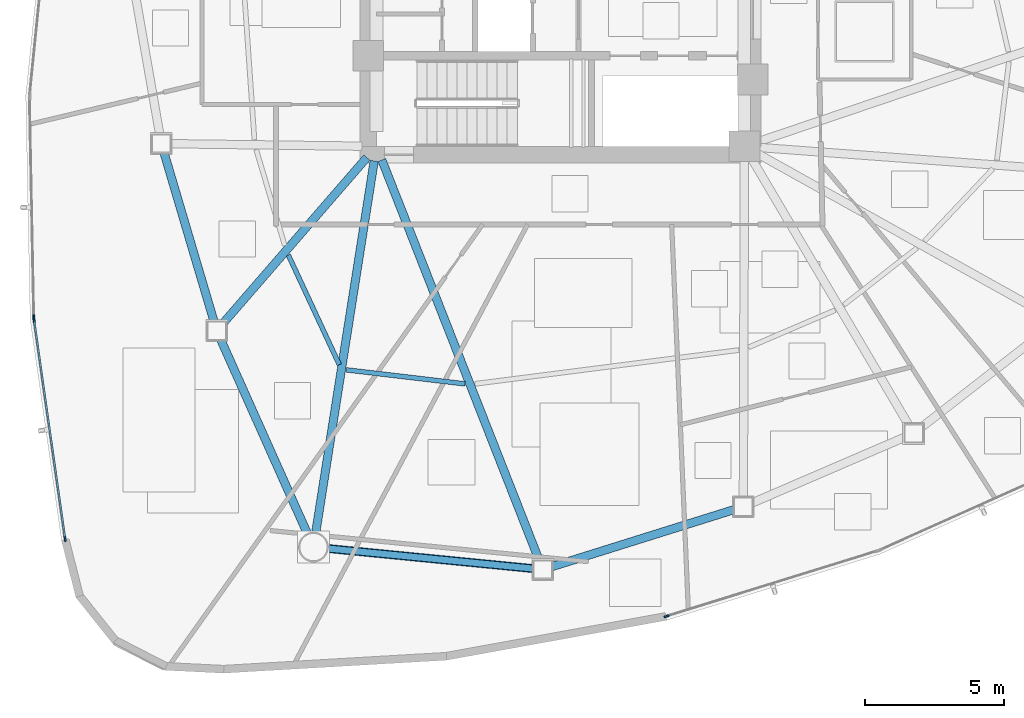
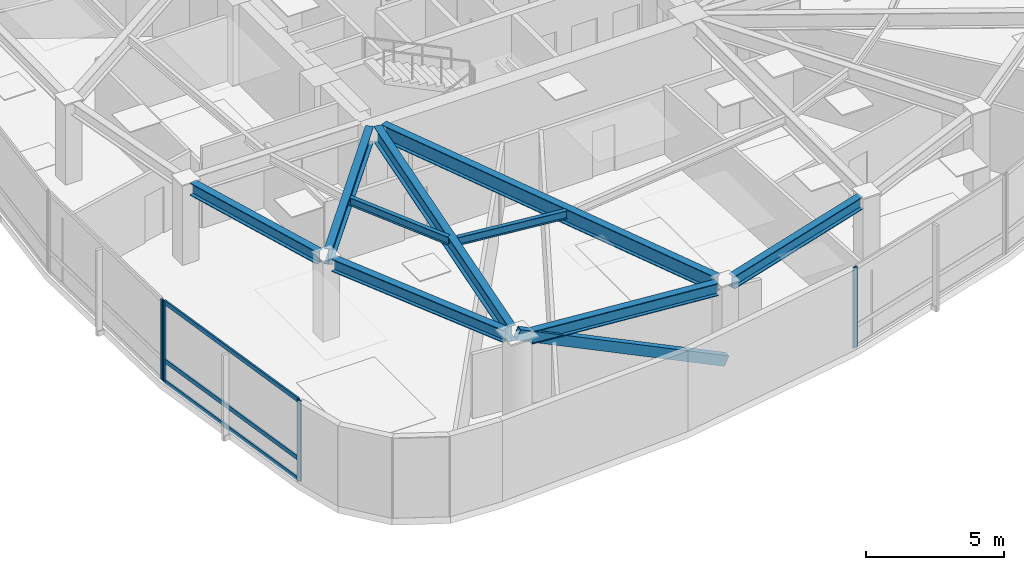
# One storey, part 2 of 17: 9 beams, 8 members, 3 elements without a shape of their own.
"""IFC4 building model written with IfcOpenShell, lengths in metres."""

import ifcopenshell
import ifcopenshell.guid

model = None  # the IFC model being written
_history = None  # IfcOwnerHistory: only IFC2X3 demands one
_inside = {}  # id of a spatial element -> (the spatial element, [elements in it])
_under = {}  # id of a project, library or spatial element -> (it, [spatial elements below it])
_declared = {}  # id of a project -> (the project, [libraries it declares])
_typed = {}  # id of a type object -> (the type object, [elements of that type])
_made_of = {}  # id of a material, layer set ... -> (it, [elements and type objects made of it])


def new_model(schema):
    """Start an empty IFC model of exactly this schema.

    Asked for "IFC4X3", IfcOpenShell would pick the latest addendum, in which some entities
    have other attributes; the version numbers below select the first issue.
    IFC2X3 requires an IfcOwnerHistory on every rooted entity: one is made here for all.
    """
    global model, _history
    if schema == "IFC4X3":
        model = ifcopenshell.file(schema_version=(4, 3, 0, 0))
    else:
        model = ifcopenshell.file(schema=schema)
    _inside.clear()
    _under.clear()
    _declared.clear()
    _typed.clear()
    _made_of.clear()
    _history = None
    if model.schema == "IFC2X3":
        org = make("IfcOrganization", Name="unknown")
        user = make(
            "IfcPersonAndOrganization",
            ThePerson=make("IfcPerson", FamilyName="unknown"),
            TheOrganization=org,
        )
        app = make(
            "IfcApplication",
            ApplicationDeveloper=org,
            Version="unknown",
            ApplicationFullName="unknown",
            ApplicationIdentifier="unknown",
        )
        _history = make(
            "IfcOwnerHistory",
            OwningUser=user,
            OwningApplication=app,
            ChangeAction="ADDED",
            CreationDate=0,
        )
    return model


def make(cls, **values):
    """One entity of the class cls with the attributes given. An attribute that is None is left unset."""
    return model.create_entity(
        cls, **{name: value for name, value in values.items() if value is not None}
    )


def rooted(cls, **values):
    """An entity with a GlobalId (a new one), such as an element, a storey or a relation."""
    return make(cls, GlobalId=ifcopenshell.guid.new(), OwnerHistory=_history, **values)


def si_unit(unit_type, name, prefix=None):
    """IfcSIUnit, for example si_unit("LENGTHUNIT", "METRE", prefix="MILLI")."""
    return make("IfcSIUnit", UnitType=unit_type, Prefix=prefix, Name=name)


def assignment(units):
    """IfcUnitAssignment: the units of a project."""
    return None if units is None else make("IfcUnitAssignment", Units=units)


def point(xyz):
    """IfcCartesianPoint."""
    return None if xyz is None else make("IfcCartesianPoint", Coordinates=xyz)


def direction(xyz):
    """IfcDirection."""
    return None if xyz is None else make("IfcDirection", DirectionRatios=xyz)


def frame(location, z_axis=None, x_axis=None):
    """IfcAxis2Placement3D, a coordinate frame: its origin and axes. An axis left out is left unset."""
    return make(
        "IfcAxis2Placement3D",
        Location=point(location),
        Axis=direction(z_axis),
        RefDirection=direction(x_axis),
    )


def frame_2d(location, x_axis=None):
    """IfcAxis2Placement2D, a coordinate frame in the plane: its origin and x axis."""
    return make(
        "IfcAxis2Placement2D", Location=point(location), RefDirection=direction(x_axis)
    )


def origin():
    """The frame at (0, 0, 0) with its axes left unset."""
    return frame((0.0, 0.0, 0.0))


def origin_2d():
    """The frame at (0, 0) in the plane with its x axis left unset."""
    return frame_2d((0.0, 0.0))


def place(relative_to, where):
    """IfcLocalPlacement: puts the frame where relative to a parent placement (None: the world)."""
    return make(
        "IfcLocalPlacement", PlacementRelTo=relative_to, RelativePlacement=where
    )


def context(
    kind, dimensions, precision=None, world=None, true_north=None, identifier=None
):
    """IfcGeometricRepresentationContext, for example the 3D "Model" context."""
    return make(
        "IfcGeometricRepresentationContext",
        ContextIdentifier=identifier,
        ContextType=kind,
        CoordinateSpaceDimension=dimensions,
        Precision=precision,
        WorldCoordinateSystem=world,
        TrueNorth=true_north,
    )


def subcontext(parent, identifier, kind, view, scale=None):
    """IfcGeometricRepresentationSubContext, for example "Body" below "Model"."""
    return make(
        "IfcGeometricRepresentationSubContext",
        ContextIdentifier=identifier,
        ContextType=kind,
        ParentContext=parent,
        TargetScale=scale,
        TargetView=view,
    )


def project(units=None, contexts=None):
    """IfcProject with its units and contexts."""
    return rooted(
        "IfcProject",
        Name="project",
        RepresentationContexts=contexts,
        UnitsInContext=assignment(units),
    )


def spatial(cls, under=None, at=None, **own):
    """A site, building, storey or space (cls), placed at a placement, below another one or the project."""
    s = rooted(cls, ObjectPlacement=at, **own)
    if under is not None:
        _under.setdefault(under.id(), (under, []))[1].append(s)
    return s


def profile(cls, at=None, kind="AREA", **sizes):
    """A parametric profile (cls). Its sizes go by their IFC names, for example OverallWidth=200.0."""
    return make(cls, ProfileType=kind, Position=at, **sizes)


def hollow_rectangle(**sizes):
    """IfcRectangleHollowProfileDef."""
    return profile("IfcRectangleHollowProfileDef", **sizes)


def i_section(**sizes):
    """IfcIShapeProfileDef."""
    return profile("IfcIShapeProfileDef", **sizes)


def extrude(swept, where, along, depth):
    """IfcExtrudedAreaSolid: the profile swept, set in the frame where, extruded along a direction by depth."""
    return make(
        "IfcExtrudedAreaSolid",
        SweptArea=swept,
        Position=where,
        ExtrudedDirection=direction(along),
        Depth=depth,
    )


def shape(context_of_items, identifier, shape_type, items):
    """IfcShapeRepresentation: the items that make up one representation, for example the "Body"."""
    return make(
        "IfcShapeRepresentation",
        ContextOfItems=context_of_items,
        RepresentationIdentifier=identifier,
        RepresentationType=shape_type,
        Items=items,
    )


def source(mapping_origin, context_of_items, identifier, shape_type, items):
    """IfcRepresentationMap: a shape defined once, which mapped items show again and again."""
    return make(
        "IfcRepresentationMap",
        MappingOrigin=mapping_origin,
        MappedRepresentation=shape(context_of_items, identifier, shape_type, items),
    )


def transform(
    local_origin,
    x_axis=None,
    y_axis=None,
    z_axis=None,
    scale=None,
    scale2=None,
    scale3=None,
    uniform=True,
):
    """IfcCartesianTransformationOperator3D, or its non-uniform kind. x_axis, y_axis, z_axis: its Axis1, 2, 3."""
    if uniform:
        return make(
            "IfcCartesianTransformationOperator3D",
            Axis1=direction(x_axis),
            Axis2=direction(y_axis),
            LocalOrigin=point(local_origin),
            Scale=scale,
            Axis3=direction(z_axis),
        )
    return make(
        "IfcCartesianTransformationOperator3DnonUniform",
        Axis1=direction(x_axis),
        Axis2=direction(y_axis),
        LocalOrigin=point(local_origin),
        Scale=scale,
        Axis3=direction(z_axis),
        Scale2=scale2,
        Scale3=scale3,
    )


def mapped(mapping_source, mapping_target):
    """IfcMappedItem: shows the shape of a source again, moved by a transform."""
    return make(
        "IfcMappedItem", MappingSource=mapping_source, MappingTarget=mapping_target
    )


def material(Name=None, Category=None):
    """IfcMaterial."""
    return make("IfcMaterial", Name=Name, Category=Category)


def layer(
    of_material, thickness, ventilated=None, Name=None, Category=None, Priority=None
):
    """IfcMaterialLayer: one layer of a wall or slab, of a material (None: an air gap)."""
    return make(
        "IfcMaterialLayer",
        Material=of_material,
        LayerThickness=thickness,
        IsVentilated=ventilated,
        Name=Name,
        Category=Category,
        Priority=Priority,
    )


def layer_set(layers, Name=None):
    """IfcMaterialLayerSet."""
    return make("IfcMaterialLayerSet", MaterialLayers=layers, LayerSetName=Name)


def material_profile(
    of_material, cross_section, Name=None, Category=None, Priority=None
):
    """IfcMaterialProfile: a cross section and its material."""
    return make(
        "IfcMaterialProfile",
        Name=Name,
        Material=of_material,
        Profile=cross_section,
        Priority=Priority,
        Category=Category,
    )


def profile_set(profiles, Name=None, composite=None):
    """IfcMaterialProfileSet."""
    return make(
        "IfcMaterialProfileSet",
        Name=Name,
        MaterialProfiles=profiles,
        CompositeProfile=composite,
    )


def made_of(thing, what):
    """Note that an element or type object is made of a material, layer set ...; save() writes the relation."""
    if what is not None:
        _made_of.setdefault(what.id(), (what, []))[1].append(thing)
    return thing


def type_object(cls, material=None, **own):
    """A type object (cls), such as IfcWallType, which elements share."""
    return made_of(rooted(cls, **own), material)


def type_shapes(of_type, sources):
    """Give a type object the sources (RepresentationMaps) that its elements show as mapped items."""
    of_type.RepresentationMaps = sources


def element(
    cls,
    number,
    at=None,
    inside=None,
    cuts=None,
    type_object=None,
    material=None,
    context=None,
    identifier="Body",
    shape_type=None,
    held_by="IfcProductDefinitionShape",
    body=None,
    shapes=None,
    **own,
):
    """One element of the class cls, such as IfcWall. Its Tag is "e" and its number.

    at: its placement. inside: the storey or other place that contains it. cuts: it is an
    opening in that element (IfcRelVoidsElement). A single representation is given by context,
    identifier, shape_type and body (its items); several are given by shapes. held_by: the class
    of the entity that holds the representations. save() writes the other relations.
    """
    e = rooted(cls, Tag="e%d" % number, ObjectPlacement=at, **own)
    if body is not None:
        shapes = [shape(context, identifier, shape_type, body)]
    if shapes is not None:
        e.Representation = make(held_by, Representations=shapes)
    if inside is not None:
        _inside.setdefault(inside.id(), (inside, []))[1].append(e)
    if cuts is not None:
        rooted(
            "IfcRelVoidsElement", RelatingBuildingElement=cuts, RelatedOpeningElement=e
        )
    if type_object is not None:
        _typed.setdefault(type_object.id(), (type_object, []))[1].append(e)
    return made_of(e, material)


def aggregate(whole, parts):
    """IfcRelAggregates: a whole, such as a stair, and the parts it consists of."""
    return rooted("IfcRelAggregates", RelatingObject=whole, RelatedObjects=parts)


def save(model, path):
    """Write the relations noted so far, then the file.

    IfcRelAggregates (storeys below a building ...), IfcRelContainedInSpatialStructure (elements
    in a storey), IfcRelDefinesByType, IfcRelAssociatesMaterial and IfcRelDeclares: one each for
    every whole, place, type object, material and project.
    """
    for whole, parts in _under.values():
        aggregate(whole, parts)
    for where, things in _inside.values():
        rooted(
            "IfcRelContainedInSpatialStructure",
            RelatedElements=things,
            RelatingStructure=where,
        )
    for kind, things in _typed.values():
        rooted("IfcRelDefinesByType", RelatedObjects=things, RelatingType=kind)
    for what, things in _made_of.values():
        rooted("IfcRelAssociatesMaterial", RelatedObjects=things, RelatingMaterial=what)
    for by, libraries in _declared.values():
        rooted("IfcRelDeclares", RelatingContext=by, RelatedDefinitions=libraries)
    model.write(path)


model = new_model("IFC4")

# Units and contexts
model_context = context("Model", 3, precision=1e-05, world=origin(), true_north=direction((0.0, 1.0)))
body_context = subcontext(model_context, "Body", "Model", "MODEL_VIEW")
ifc_project = project(units=[si_unit("LENGTHUNIT", "METRE"), si_unit("AREAUNIT", "SQUARE_METRE"), si_unit("VOLUMEUNIT", "CUBIC_METRE"), si_unit("PLANEANGLEUNIT", "RADIAN"), si_unit("MASSUNIT", "GRAM", prefix="KILO")], contexts=[model_context])

# Site, building, storey
site_placement = place(None, origin())
site = spatial("IfcSite", under=ifc_project, at=site_placement, CompositionType="ELEMENT")
building_placement = place(site_placement, origin())
building = spatial("IfcBuilding", under=site, at=building_placement, Name="Tavelor Broadcast Tower", CompositionType="ELEMENT")
storey_placement = place(building_placement, frame((0.0, 0.0, 119.449951171875)))
storey = spatial("IfcBuildingStorey", under=building, at=storey_placement, Name="L27", CompositionType="ELEMENT", Elevation=119.449951171875)

# Beams
ifc_material_1 = material(Name="Steel S355", Category="steel")
ifc_material_profile_1 = material_profile(ifc_material_1, i_section(OverallWidth=0.169921875, OverallDepth=0.360107421875, WebThickness=0.008056640625, FlangeThickness=0.0126953125, at=origin_2d()), Name="IPE 360")
ifc_profile_set_1 = profile_set([ifc_material_profile_1], Name="Steel S355")
beam_type_1 = type_object("IfcBeamType", Name="Composite Floor Joist T3 IPE 360", PredefinedType="JOIST", material=ifc_profile_set_1)
beam_1_placement = place(storey_placement, frame((40.237548828125, 34.901123046875, 3.3701171875), z_axis=(0.421480014114, -0.906837690936, 0.0), x_axis=(0.906837690936, 0.421480014114, 0.0)))
element("IfcBeam", 1, at=beam_1_placement, inside=storey, type_object=beam_type_1, Name="L27 Secondary Composite Floor Joist 06", PredefinedType="JOIST", context=body_context, shape_type="SweptSolid", body=[
    extrude(i_section(OverallWidth=0.169921875, OverallDepth=0.360107421875, WebThickness=0.008056640625, FlangeThickness=0.0126953125, at=origin_2d()), origin(), (0.0, 0.0, 1.0), 4.337890625),
])
beam_2_placement = place(storey_placement, frame((42.32177734375, 30.781982421875, 3.3701171875), z_axis=(0.993083165759, -0.117413056713, 0.0), x_axis=(0.117413056713, 0.993083165759, 0.0)))
element("IfcBeam", 2, at=beam_2_placement, inside=storey, type_object=beam_type_1, Name="L27 Secondary Composite Floor Joist 07", PredefinedType="JOIST", context=body_context, shape_type="SweptSolid", body=[
    extrude(i_section(OverallWidth=0.169921875, OverallDepth=0.360107421875, WebThickness=0.008056640625, FlangeThickness=0.0126953125, at=origin_2d()), origin(), (0.0, 0.0, 1.0), 4.285400390625),
])
ifc_material_profile_2 = material_profile(ifc_material_1, i_section(OverallWidth=0.300048828125, OverallDepth=0.550048828125, WebThickness=0.014892578125, FlangeThickness=0.029052734375, at=origin_2d()), Name="HEB 550")
ifc_profile_set_2 = profile_set([ifc_material_profile_2], Name="Steel S355")
beam_type_2 = type_object("IfcBeamType", Name="Perimeter Spandrel Beam T3 HEB 550", PredefinedType="SPANDREL", material=ifc_profile_set_2)
beam_3_placement = place(storey_placement, frame((35.7763671875, 38.57763671875, 3.275146484375), z_axis=(0.283996338182, -0.958825364652, 0.0), x_axis=(0.958825364652, 0.283996338182, 0.0)))
element("IfcBeam", 3, at=beam_3_placement, inside=storey, type_object=beam_type_2, Name="L27 Framed-Tube Ring Spandrel 05", PredefinedType="SPANDREL", context=body_context, shape_type="SweptSolid", body=[
    extrude(i_section(OverallWidth=0.300048828125, OverallDepth=0.550048828125, WebThickness=0.014892578125, FlangeThickness=0.029052734375, at=origin_2d()), origin(), (0.0, 0.0, 1.0), 6.325439453125),
])
beam_4_placement = place(storey_placement, frame((37.80517578125, 31.883544921875, 3.275146484375), z_axis=(0.407977377403, -0.912992036946, 0.0), x_axis=(0.912992036946, 0.407977377403, 0.0)))
element("IfcBeam", 4, at=beam_4_placement, inside=storey, type_object=beam_type_2, Name="L27 Framed-Tube Ring Spandrel 06", PredefinedType="SPANDREL", context=body_context, shape_type="SweptSolid", body=[
    extrude(i_section(OverallWidth=0.300048828125, OverallDepth=0.550048828125, WebThickness=0.014892578125, FlangeThickness=0.029052734375, at=origin_2d()), origin(), (0.0, 0.0, 1.0), 7.658447265625),
])
beam_5_placement = place(storey_placement, frame((41.6484375, 24.373779296875, 3.275146484375), z_axis=(0.995250868203, -0.097343255237, 0.0), x_axis=(0.097343255237, 0.995250868203, 0.0)))
element("IfcBeam", 5, at=beam_5_placement, inside=storey, type_object=beam_type_2, Name="L27 Framed-Tube Ring Spandrel 07", PredefinedType="SPANDREL", context=body_context, shape_type="SweptSolid", body=[
    extrude(i_section(OverallWidth=0.300048828125, OverallDepth=0.550048828125, WebThickness=0.014892578125, FlangeThickness=0.029052734375, at=origin_2d()), origin(), (0.0, 0.0, 1.0), 7.418701171875),
])
beam_6_placement = place(storey_placement, frame((49.68701171875, 23.719482421875, 3.275146484375), z_axis=(0.954271632066, 0.29894088418, 0.0), x_axis=(-0.29894088418, 0.954271632066, 0.0)))
element("IfcBeam", 6, at=beam_6_placement, inside=storey, type_object=beam_type_2, Name="L27 Framed-Tube Ring Spandrel 08", PredefinedType="SPANDREL", context=body_context, shape_type="SweptSolid", body=[
    extrude(i_section(OverallWidth=0.300048828125, OverallDepth=0.550048828125, WebThickness=0.014892578125, FlangeThickness=0.029052734375, at=origin_2d()), origin(), (0.0, 0.0, 1.0), 6.867431640625),
])

# Member
ifc_material_profile_3 = material_profile(ifc_material_1, hollow_rectangle(XDim=0.25, YDim=0.449951171875, WallThickness=0.02001953125, at=origin_2d()), Name="RHS 450x250x20")
ifc_profile_set_3 = profile_set([ifc_material_profile_3], Name="Steel S355")
member_type_1 = type_object("IfcMemberType", Name="Perimeter Tube Brace T3 RHS 450x250x20", PredefinedType="BRACE", material=ifc_profile_set_3)
member_1_placement = place(storey_placement, frame((49.366455078125, 23.618896484375, 0.0), z_axis=(-0.914496364203, 0.089466025126, 0.394578547577), x_axis=(-0.097366094377, -0.995248634094, 0.0)))
element("IfcMember", 7, at=member_1_placement, inside=storey, type_object=member_type_1, Name="L27 Corner Tube Diagonal Brace 2", PredefinedType="BRACE", context=body_context, shape_type="SweptSolid", body=[
    extrude(hollow_rectangle(XDim=0.25, YDim=0.449951171875, WallThickness=0.02001953125, at=origin_2d()), origin(), (0.0, 0.0, 1.0), 8.9970703125),
])

# Beams
ifc_material_profile_4 = material_profile(ifc_material_1, i_section(OverallWidth=0.300048828125, OverallDepth=0.68994140625, WebThickness=0.014404296875, FlangeThickness=0.027099609375, at=origin_2d()), Name="HEA 700")
ifc_profile_set_4 = profile_set([ifc_material_profile_4], Name="Steel S355")
beam_type_3 = type_object("IfcBeamType", Name="Radial Floor Girder T3 HEA 700", PredefinedType="BEAM", material=ifc_profile_set_4)
beam_7_placement = place(storey_placement, frame((43.05419921875, 38.401123046875, 3.205078125), z_axis=(-0.655166261537, -0.755484725024, 0.0), x_axis=(0.755484725024, -0.655166261537, 0.0)))
element("IfcBeam", 8, at=beam_7_placement, inside=storey, type_object=beam_type_3, Name="L27 Radial Primary Floor Girder 06", PredefinedType="BEAM", context=body_context, shape_type="SweptSolid", body=[
    extrude(i_section(OverallWidth=0.300048828125, OverallDepth=0.68994140625, WebThickness=0.014404296875, FlangeThickness=0.027099609375, at=origin_2d()), origin(), (0.0, 0.0, 1.0), 7.885009765625),
])
beam_8_placement = place(storey_placement, frame((43.318115234375, 38.2783203125, 3.205078125), z_axis=(-0.1553975273, -0.987852017515, 0.0), x_axis=(0.987852017515, -0.1553975273, 0.0)))
element("IfcBeam", 9, at=beam_8_placement, inside=storey, type_object=beam_type_3, Name="L27 Radial Primary Floor Girder 07", PredefinedType="BEAM", context=body_context, shape_type="SweptSolid", body=[
    extrude(i_section(OverallWidth=0.300048828125, OverallDepth=0.68994140625, WebThickness=0.014404296875, FlangeThickness=0.027099609375, at=origin_2d()), origin(), (0.0, 0.0, 1.0), 13.5126953125),
])
beam_9_placement = place(storey_placement, frame((43.593017578125, 38.30859375, 3.205078125), z_axis=(0.365795149989, -0.930695389612, 0.0), x_axis=(0.930695389612, 0.365795149989, 0.0)))
element("IfcBeam", 10, at=beam_9_placement, inside=storey, type_object=beam_type_3, Name="L27 Radial Primary Floor Girder 08", PredefinedType="BEAM", context=body_context, shape_type="SweptSolid", body=[
    extrude(i_section(OverallWidth=0.300048828125, OverallDepth=0.68994140625, WebThickness=0.014404296875, FlangeThickness=0.027099609375, at=origin_2d()), origin(), (0.0, 0.0, 1.0), 15.447509765625),
])

# Curtain wall, member
ifc_material_2 = material(Name="Architectural Anodized Aluminium", Category="aluminium")
ifc_layer = layer(ifc_material_2, 0.18994140625)
ifc_layer_set = layer_set([ifc_layer], Name="Architectural Anodized Aluminium")
curtain_wall_type = type_object("IfcCurtainWallType", Name="Tower Mid-Zone Acoustic Curtain Wall CW03", PredefinedType="NOTDEFINED", material=ifc_layer_set)
curtain_wall_1_placement = place(storey_placement, origin())
curtain_wall_1 = element("IfcCurtainWall", 11, at=curtain_wall_1_placement, inside=storey, type_object=curtain_wall_type, Name="L27 Curtain Wall CW03 Run 267", PredefinedType="NOTDEFINED")
ifc_material_profile_5 = material_profile(ifc_material_2, hollow_rectangle(XDim=0.068115234375, YDim=0.18994140625, WallThickness=0.02197265625, at=origin_2d()), Name="RHS 68x190x22")
ifc_profile_set_5 = profile_set([ifc_material_profile_5], Name="Architectural Anodized Aluminium")
member_type_2 = type_object("IfcMemberType", Name="CW03 Extruded Aluminium Mullion 68x190", PredefinedType="MULLION", material=ifc_profile_set_5)
shared_shape_1 = source(origin(), body_context, "Body", "SweptSolid", [
    extrude(hollow_rectangle(XDim=0.068115234375, YDim=0.18994140625, WallThickness=0.02197265625, at=origin_2d()), origin(), (0.0, 0.0, 1.0), 3.550048828125),
])
type_shapes(member_type_2, [shared_shape_1])
member_2_placement = place(storey_placement, frame((31.109375, 32.659423828125, 0.0), z_axis=(0.0, 0.0, 1.0), x_axis=(0.999806895173, 0.019651268793, 0.0)))
member_2 = element("IfcMember", 12, at=member_2_placement, type_object=member_type_2, Name="CW03 mullion 2", PredefinedType="MULLION", context=body_context, shape_type="MappedRepresentation", body=[
    mapped(shared_shape_1, transform((0.0, 0.0, 0.0), scale=1.0)),
])
aggregate(curtain_wall_1, [member_2])

# Curtain wall, members
curtain_wall_2_placement = place(storey_placement, origin())
curtain_wall_2 = element("IfcCurtainWall", 13, at=curtain_wall_2_placement, inside=storey, type_object=curtain_wall_type, Name="L27 Curtain Wall CW03 Run 268", PredefinedType="NOTDEFINED")
member_3_placement = place(storey_placement, frame((31.1171875, 32.56201171875, 0.0), z_axis=(0.0, 0.0, 1.0), x_axis=(0.990080481235, 0.140501390307, 0.0)))
member_3 = element("IfcMember", 14, at=member_3_placement, type_object=member_type_2, Name="CW03 mullion 1", PredefinedType="MULLION", context=body_context, shape_type="MappedRepresentation", body=[
    mapped(shared_shape_1, transform((0.0, 0.0, 0.0), scale=1.0)),
])
member_4_placement = place(storey_placement, frame((32.230224609375, 24.718505859375, 0.0), z_axis=(0.0, 0.0, 1.0), x_axis=(0.990080481235, 0.140501390307, 0.0)))
member_4 = element("IfcMember", 15, at=member_4_placement, type_object=member_type_2, Name="CW03 mullion 2", PredefinedType="MULLION", context=body_context, shape_type="MappedRepresentation", body=[
    mapped(shared_shape_1, transform((0.0, 0.0, 0.0), scale=1.0)),
])

# Curtain wall, member
curtain_wall_3_placement = place(storey_placement, origin())
curtain_wall_3 = element("IfcCurtainWall", 16, at=curtain_wall_3_placement, inside=storey, type_object=curtain_wall_type, Name="L27 Curtain Wall CW03 Run 269", PredefinedType="NOTDEFINED")
member_5_placement = place(storey_placement, frame((53.808349609375, 21.94287109375, 0.0), z_axis=(0.0, 0.0, 1.0), x_axis=(-0.296123209623, 0.955149749894, 0.0)))
member_5 = element("IfcMember", 17, at=member_5_placement, type_object=member_type_2, Name="CW03 mullion 1", PredefinedType="MULLION", context=body_context, shape_type="MappedRepresentation", body=[
    mapped(shared_shape_1, transform((0.0, 0.0, 0.0), scale=1.0)),
])
aggregate(curtain_wall_3, [member_5])

# Member
ifc_material_profile_6 = material_profile(ifc_material_2, hollow_rectangle(XDim=0.068115234375, YDim=0.18994140625, WallThickness=0.02197265625, at=origin_2d()), Name="RHS 68x190x22")
ifc_profile_set_6 = profile_set([ifc_material_profile_6], Name="Architectural Anodized Aluminium")
member_type_3 = type_object("IfcMemberType", Name="CW03 Extruded Aluminium Transom 68x190", PredefinedType="USERDEFINED", material=ifc_profile_set_6)
shared_shape_2 = source(origin(), body_context, "Body", "SweptSolid", [
    extrude(hollow_rectangle(XDim=0.068115234375, YDim=0.18994140625, WallThickness=0.02197265625, at=origin_2d()), origin(), (0.0, 0.0, 1.0), 7.85400390625),
])
type_shapes(member_type_3, [shared_shape_2])
member_6_placement = place(storey_placement, frame((31.1220703125, 32.5283203125, 0.033935546875), z_axis=(0.140503052002, -0.990080245424, 0.0), x_axis=(0.990080245424, 0.140503052002, 0.0)))
member_6 = element("IfcMember", 18, at=member_6_placement, type_object=member_type_3, Name="CW03 transom 1.1", ObjectType="TRANSOM", PredefinedType="USERDEFINED", context=body_context, shape_type="MappedRepresentation", body=[
    mapped(shared_shape_2, transform((0.0, 0.0, 0.0), scale=1.0)),
])

member_7_placement = place(storey_placement, frame((31.1220703125, 32.5283203125, 0.949951171875), z_axis=(0.140503052002, -0.990080245424, 0.0), x_axis=(0.990080245424, 0.140503052002, 0.0)))
member_7 = element("IfcMember", 19, at=member_7_placement, type_object=member_type_3, Name="CW03 transom 1.2", ObjectType="TRANSOM", PredefinedType="USERDEFINED", context=body_context, shape_type="MappedRepresentation", body=[
    mapped(shared_shape_2, transform((0.0, 0.0, 0.0), scale=1.0)),
])

member_8_placement = place(storey_placement, frame((31.1220703125, 32.5283203125, 3.51611328125), z_axis=(0.140503052002, -0.990080245424, 0.0), x_axis=(0.990080245424, 0.140503052002, 0.0)))
member_8 = element("IfcMember", 20, at=member_8_placement, type_object=member_type_3, Name="CW03 transom 1.3", ObjectType="TRANSOM", PredefinedType="USERDEFINED", context=body_context, shape_type="MappedRepresentation", body=[
    mapped(shared_shape_2, transform((0.0, 0.0, 0.0), scale=1.0)),
])

aggregate(curtain_wall_2, [member_3, member_4, member_6, member_7, member_8])

save(model, "model.ifc")
